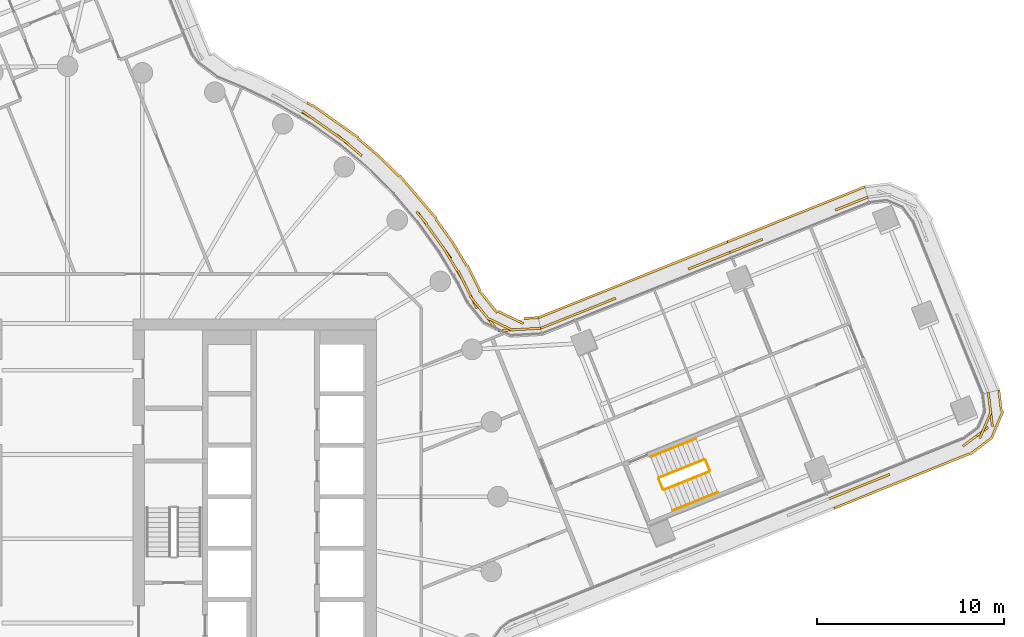
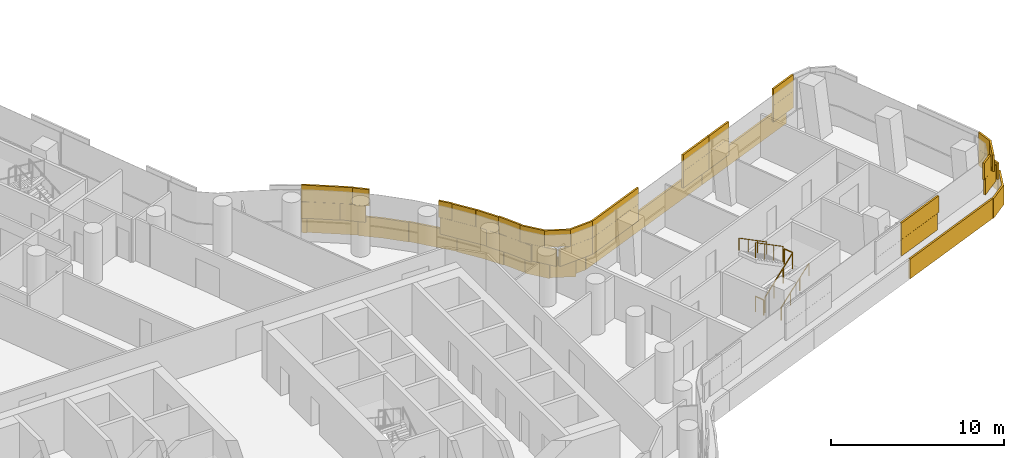
# One storey, part 30 of 32: 6 railings, 4 coverings.
"""IFC4 building model written with IfcOpenShell, lengths in metres."""

import ifcopenshell
import ifcopenshell.guid

model = None  # the IFC model being written
_history = None  # IfcOwnerHistory: only IFC2X3 demands one
_inside = {}  # id of a spatial element -> (the spatial element, [elements in it])
_under = {}  # id of a project, library or spatial element -> (it, [spatial elements below it])
_declared = {}  # id of a project -> (the project, [libraries it declares])
_typed = {}  # id of a type object -> (the type object, [elements of that type])
_made_of = {}  # id of a material, layer set ... -> (it, [elements and type objects made of it])


def new_model(schema):
    """Start an empty IFC model of exactly this schema.

    Asked for "IFC4X3", IfcOpenShell would pick the latest addendum, in which some entities
    have other attributes; the version numbers below select the first issue.
    IFC2X3 requires an IfcOwnerHistory on every rooted entity: one is made here for all.
    """
    global model, _history
    if schema == "IFC4X3":
        model = ifcopenshell.file(schema_version=(4, 3, 0, 0))
    else:
        model = ifcopenshell.file(schema=schema)
    _inside.clear()
    _under.clear()
    _declared.clear()
    _typed.clear()
    _made_of.clear()
    _history = None
    if model.schema == "IFC2X3":
        org = make("IfcOrganization", Name="unknown")
        user = make(
            "IfcPersonAndOrganization",
            ThePerson=make("IfcPerson", FamilyName="unknown"),
            TheOrganization=org,
        )
        app = make(
            "IfcApplication",
            ApplicationDeveloper=org,
            Version="unknown",
            ApplicationFullName="unknown",
            ApplicationIdentifier="unknown",
        )
        _history = make(
            "IfcOwnerHistory",
            OwningUser=user,
            OwningApplication=app,
            ChangeAction="ADDED",
            CreationDate=0,
        )
    return model


def make(cls, **values):
    """One entity of the class cls with the attributes given. An attribute that is None is left unset."""
    return model.create_entity(
        cls, **{name: value for name, value in values.items() if value is not None}
    )


def rooted(cls, **values):
    """An entity with a GlobalId (a new one), such as an element, a storey or a relation."""
    return make(cls, GlobalId=ifcopenshell.guid.new(), OwnerHistory=_history, **values)


def si_unit(unit_type, name, prefix=None):
    """IfcSIUnit, for example si_unit("LENGTHUNIT", "METRE", prefix="MILLI")."""
    return make("IfcSIUnit", UnitType=unit_type, Prefix=prefix, Name=name)


def assignment(units):
    """IfcUnitAssignment: the units of a project."""
    return None if units is None else make("IfcUnitAssignment", Units=units)


def point(xyz):
    """IfcCartesianPoint."""
    return None if xyz is None else make("IfcCartesianPoint", Coordinates=xyz)


def direction(xyz):
    """IfcDirection."""
    return None if xyz is None else make("IfcDirection", DirectionRatios=xyz)


def frame(location, z_axis=None, x_axis=None):
    """IfcAxis2Placement3D, a coordinate frame: its origin and axes. An axis left out is left unset."""
    return make(
        "IfcAxis2Placement3D",
        Location=point(location),
        Axis=direction(z_axis),
        RefDirection=direction(x_axis),
    )


def frame_2d(location, x_axis=None):
    """IfcAxis2Placement2D, a coordinate frame in the plane: its origin and x axis."""
    return make(
        "IfcAxis2Placement2D", Location=point(location), RefDirection=direction(x_axis)
    )


def origin():
    """The frame at (0, 0, 0) with its axes left unset."""
    return frame((0.0, 0.0, 0.0))


def origin_2d():
    """The frame at (0, 0) in the plane with its x axis left unset."""
    return frame_2d((0.0, 0.0))


def place(relative_to, where):
    """IfcLocalPlacement: puts the frame where relative to a parent placement (None: the world)."""
    return make(
        "IfcLocalPlacement", PlacementRelTo=relative_to, RelativePlacement=where
    )


def context(
    kind, dimensions, precision=None, world=None, true_north=None, identifier=None
):
    """IfcGeometricRepresentationContext, for example the 3D "Model" context."""
    return make(
        "IfcGeometricRepresentationContext",
        ContextIdentifier=identifier,
        ContextType=kind,
        CoordinateSpaceDimension=dimensions,
        Precision=precision,
        WorldCoordinateSystem=world,
        TrueNorth=true_north,
    )


def subcontext(parent, identifier, kind, view, scale=None):
    """IfcGeometricRepresentationSubContext, for example "Body" below "Model"."""
    return make(
        "IfcGeometricRepresentationSubContext",
        ContextIdentifier=identifier,
        ContextType=kind,
        ParentContext=parent,
        TargetScale=scale,
        TargetView=view,
    )


def project(units=None, contexts=None):
    """IfcProject with its units and contexts."""
    return rooted(
        "IfcProject",
        Name="project",
        RepresentationContexts=contexts,
        UnitsInContext=assignment(units),
    )


def spatial(cls, under=None, at=None, **own):
    """A site, building, storey or space (cls), placed at a placement, below another one or the project."""
    s = rooted(cls, ObjectPlacement=at, **own)
    if under is not None:
        _under.setdefault(under.id(), (under, []))[1].append(s)
    return s


def profile(cls, at=None, kind="AREA", **sizes):
    """A parametric profile (cls). Its sizes go by their IFC names, for example OverallWidth=200.0."""
    return make(cls, ProfileType=kind, Position=at, **sizes)


def rectangle(**sizes):
    """IfcRectangleProfileDef."""
    return profile("IfcRectangleProfileDef", **sizes)


def circle(**sizes):
    """IfcCircleProfileDef."""
    return profile("IfcCircleProfileDef", **sizes)


def extrude(swept, where, along, depth):
    """IfcExtrudedAreaSolid: the profile swept, set in the frame where, extruded along a direction by depth."""
    return make(
        "IfcExtrudedAreaSolid",
        SweptArea=swept,
        Position=where,
        ExtrudedDirection=direction(along),
        Depth=depth,
    )


def shape(context_of_items, identifier, shape_type, items):
    """IfcShapeRepresentation: the items that make up one representation, for example the "Body"."""
    return make(
        "IfcShapeRepresentation",
        ContextOfItems=context_of_items,
        RepresentationIdentifier=identifier,
        RepresentationType=shape_type,
        Items=items,
    )


def material(Name=None, Category=None):
    """IfcMaterial."""
    return make("IfcMaterial", Name=Name, Category=Category)


def layer(
    of_material, thickness, ventilated=None, Name=None, Category=None, Priority=None
):
    """IfcMaterialLayer: one layer of a wall or slab, of a material (None: an air gap)."""
    return make(
        "IfcMaterialLayer",
        Material=of_material,
        LayerThickness=thickness,
        IsVentilated=ventilated,
        Name=Name,
        Category=Category,
        Priority=Priority,
    )


def layer_set(layers, Name=None):
    """IfcMaterialLayerSet."""
    return make("IfcMaterialLayerSet", MaterialLayers=layers, LayerSetName=Name)


def made_of(thing, what):
    """Note that an element or type object is made of a material, layer set ...; save() writes the relation."""
    if what is not None:
        _made_of.setdefault(what.id(), (what, []))[1].append(thing)
    return thing


def type_object(cls, material=None, **own):
    """A type object (cls), such as IfcWallType, which elements share."""
    return made_of(rooted(cls, **own), material)


def element(
    cls,
    number,
    at=None,
    inside=None,
    cuts=None,
    type_object=None,
    material=None,
    context=None,
    identifier="Body",
    shape_type=None,
    held_by="IfcProductDefinitionShape",
    body=None,
    shapes=None,
    **own,
):
    """One element of the class cls, such as IfcWall. Its Tag is "e" and its number.

    at: its placement. inside: the storey or other place that contains it. cuts: it is an
    opening in that element (IfcRelVoidsElement). A single representation is given by context,
    identifier, shape_type and body (its items); several are given by shapes. held_by: the class
    of the entity that holds the representations. save() writes the other relations.
    """
    e = rooted(cls, Tag="e%d" % number, ObjectPlacement=at, **own)
    if body is not None:
        shapes = [shape(context, identifier, shape_type, body)]
    if shapes is not None:
        e.Representation = make(held_by, Representations=shapes)
    if inside is not None:
        _inside.setdefault(inside.id(), (inside, []))[1].append(e)
    if cuts is not None:
        rooted(
            "IfcRelVoidsElement", RelatingBuildingElement=cuts, RelatedOpeningElement=e
        )
    if type_object is not None:
        _typed.setdefault(type_object.id(), (type_object, []))[1].append(e)
    return made_of(e, material)


def aggregate(whole, parts):
    """IfcRelAggregates: a whole, such as a stair, and the parts it consists of."""
    return rooted("IfcRelAggregates", RelatingObject=whole, RelatedObjects=parts)


def save(model, path):
    """Write the relations noted so far, then the file.

    IfcRelAggregates (storeys below a building ...), IfcRelContainedInSpatialStructure (elements
    in a storey), IfcRelDefinesByType, IfcRelAssociatesMaterial and IfcRelDeclares: one each for
    every whole, place, type object, material and project.
    """
    for whole, parts in _under.values():
        aggregate(whole, parts)
    for where, things in _inside.values():
        rooted(
            "IfcRelContainedInSpatialStructure",
            RelatedElements=things,
            RelatingStructure=where,
        )
    for kind, things in _typed.values():
        rooted("IfcRelDefinesByType", RelatedObjects=things, RelatingType=kind)
    for what, things in _made_of.values():
        rooted("IfcRelAssociatesMaterial", RelatedObjects=things, RelatingMaterial=what)
    for by, libraries in _declared.values():
        rooted("IfcRelDeclares", RelatingContext=by, RelatedDefinitions=libraries)
    model.write(path)


model = new_model("IFC4")

# Units and contexts
model_context = context("Model", 3, precision=1e-05, world=origin(), true_north=direction((0.0, 1.0)))
body_context = subcontext(model_context, "Body", "Model", "MODEL_VIEW")
ifc_project = project(units=[si_unit("LENGTHUNIT", "METRE"), si_unit("AREAUNIT", "SQUARE_METRE"), si_unit("VOLUMEUNIT", "CUBIC_METRE"), si_unit("PLANEANGLEUNIT", "RADIAN"), si_unit("MASSUNIT", "GRAM", prefix="KILO")], contexts=[model_context])

# Site, building, storey
site_placement = place(None, origin())
site = spatial("IfcSite", under=ifc_project, at=site_placement, CompositionType="ELEMENT")
building_placement = place(site_placement, origin())
building = spatial("IfcBuilding", under=site, at=building_placement, Name="Tamarind Cross Interchange Tower", CompositionType="ELEMENT")
storey_placement = place(building_placement, frame((0.0, 0.0, 113.5)))
storey = spatial("IfcBuildingStorey", under=building, at=storey_placement, Name="L27", CompositionType="ELEMENT", Elevation=113.5)

# Railings
ifc_material_1 = material(Name="Stair guard")
railing_type_1 = type_object("IfcRailingType", Name="Stair guard", PredefinedType="GUARDRAIL", material=ifc_material_1)
railing_1_placement = place(storey_placement, frame((31.878173828125, 0.36767578125, 0.17041015625)))
element("IfcRailing", 1, at=railing_1_placement, inside=storey, type_object=railing_type_1, Name="L27 ST3 stair guard 1", PredefinedType="GUARDRAIL", context=body_context, shape_type="SweptSolid", body=[
    extrude(circle(Radius=0.02392578125, at=origin_2d()), frame((0.0, 0.0, 1.076171875), z_axis=(0.775716412802, 0.312469690883, 0.548294390988), x_axis=(-0.373640019295, 0.927573790047, 0.0)), (0.0, 0.0, 1.0), 3.10888671875),
    extrude(circle(Radius=0.02099609375, at=origin_2d()), origin(), (0.0, 0.0, 1.0), 1.052001953125),
    extrude(circle(Radius=0.02099609375, at=origin_2d()), frame((0.803955078125, 0.32373046875, 0.568115234375)), (0.0, 0.0, 1.0), 1.052001953125),
    extrude(circle(Radius=0.02099609375, at=origin_2d()), frame((1.607666015625, 0.647705078125, 1.136474609375)), (0.0, 0.0, 1.0), 1.052001953125),
    extrude(circle(Radius=0.02099609375, at=origin_2d()), frame((2.41162109375, 0.971435546875, 1.70458984375)), (0.0, 0.0, 1.0), 1.052001953125),
])
railing_2_placement = place(storey_placement, frame((34.317626953125, 1.404052734375, 1.875)))
element("IfcRailing", 2, at=railing_2_placement, inside=storey, type_object=railing_type_1, Name="L27 ST3 stair guard 2", PredefinedType="GUARDRAIL", context=body_context, shape_type="SweptSolid", body=[
    extrude(circle(Radius=0.02392578125, at=origin_2d()), frame((0.0, 0.0, 1.076171875), z_axis=(-0.373844172885, 0.92749152794, 0.0), x_axis=(-0.92749152794, -0.373844172885, 0.0)), (0.0, 0.0, 1.0), 0.60009765625),
    extrude(circle(Radius=0.02099609375, at=origin_2d()), origin(), (0.0, 0.0, 1.0), 1.052001953125),
    extrude(circle(Radius=0.02099609375, at=origin_2d()), frame((-0.224365234375, 0.556640625, 0.0)), (0.0, 0.0, 1.0), 1.052001953125),
])
railing_3_placement = place(storey_placement, frame((34.0283203125, 1.98828125, 2.04541015625)))
element("IfcRailing", 3, at=railing_3_placement, inside=storey, type_object=railing_type_1, Name="L27 ST3 stair guard 3", PredefinedType="GUARDRAIL", context=body_context, shape_type="SweptSolid", body=[
    extrude(circle(Radius=0.02392578125, at=origin_2d()), frame((0.0, 0.0, 1.076171875), z_axis=(-0.775747685502, -0.312450657011, 0.548260992021), x_axis=(0.373607477122, -0.927586897837, 0.0)), (0.0, 0.0, 1.0), 3.109130859375),
    extrude(circle(Radius=0.02099609375, at=origin_2d()), origin(), (0.0, 0.0, 1.0), 1.052001953125),
    extrude(circle(Radius=0.02099609375, at=origin_2d()), frame((-0.803955078125, -0.32373046875, 0.568115234375)), (0.0, 0.0, 1.0), 1.052001953125),
    extrude(circle(Radius=0.02099609375, at=origin_2d()), frame((-1.60791015625, -0.647705078125, 1.136474609375)), (0.0, 0.0, 1.0), 1.052001953125),
    extrude(circle(Radius=0.02099609375, at=origin_2d()), frame((-2.411865234375, -0.971435546875, 1.70458984375)), (0.0, 0.0, 1.0), 1.052001953125),
])
railing_4_placement = place(storey_placement, frame((31.81298828125, 0.395263671875, 0.0)))
element("IfcRailing", 4, at=railing_4_placement, inside=storey, type_object=railing_type_1, Name="L27 ST3 stair guard 4", PredefinedType="GUARDRAIL", context=body_context, shape_type="SweptSolid", body=[
    extrude(circle(Radius=0.02392578125, at=origin_2d()), frame((0.0, 0.0, 1.076171875), z_axis=(-0.373494151922, 0.927632534186, 0.0), x_axis=(-0.927632534186, -0.373494151922, 0.0)), (0.0, 0.0, 1.0), 0.60009765625),
    extrude(circle(Radius=0.02099609375, at=origin_2d()), origin(), (0.0, 0.0, 1.0), 1.052001953125),
    extrude(circle(Radius=0.02099609375, at=origin_2d()), frame((-0.22412109375, 0.556640625, 0.0)), (0.0, 0.0, 1.0), 1.052001953125),
])
ifc_material_2 = material(Name="Stair handrail")
railing_type_2 = type_object("IfcRailingType", Name="Stair handrail", PredefinedType="HANDRAIL", material=ifc_material_2)
railing_5_placement = place(storey_placement, frame((32.326416015625, -0.74560546875, 0.17041015625)))
element("IfcRailing", 5, at=railing_5_placement, inside=storey, type_object=railing_type_2, Name="L27 ST3 stair handrail 1", PredefinedType="HANDRAIL", context=body_context, shape_type="SweptSolid", body=[
    extrude(circle(Radius=0.02392578125, at=origin_2d()), frame((0.0, 0.0, 0.8759765625), z_axis=(0.775728650715, 0.312521513295, 0.548247539153), x_axis=(-0.373688261611, 0.927554355892, 0.0)), (0.0, 0.0, 1.0), 3.109130859375),
    extrude(circle(Radius=0.02099609375, at=origin_2d()), origin(), (0.0, 0.0, 1.0), 0.851806640625),
    extrude(circle(Radius=0.02099609375, at=origin_2d()), frame((0.803955078125, 0.323974609375, 0.568115234375)), (0.0, 0.0, 1.0), 0.851806640625),
    extrude(circle(Radius=0.02099609375, at=origin_2d()), frame((1.60791015625, 0.647705078125, 1.136474609375)), (0.0, 0.0, 1.0), 0.851806640625),
    extrude(circle(Radius=0.02099609375, at=origin_2d()), frame((2.411865234375, 0.9716796875, 1.70458984375)), (0.0, 0.0, 1.0), 0.851806640625),
])
railing_6_placement = place(storey_placement, frame((33.579833984375, 3.101318359375, 2.04541015625)))
element("IfcRailing", 6, at=railing_6_placement, inside=storey, type_object=railing_type_2, Name="L27 ST3 stair handrail 2", PredefinedType="HANDRAIL", context=body_context, shape_type="SweptSolid", body=[
    extrude(circle(Radius=0.02392578125, at=origin_2d()), frame((0.0, 0.0, 0.8759765625), z_axis=(-0.775716412802, -0.312469690883, 0.548294390988), x_axis=(0.373640019295, -0.927573790047, 0.0)), (0.0, 0.0, 1.0), 3.10888671875),
    extrude(circle(Radius=0.02099609375, at=origin_2d()), origin(), (0.0, 0.0, 1.0), 0.851806640625),
    extrude(circle(Radius=0.02099609375, at=origin_2d()), frame((-0.803955078125, -0.32373046875, 0.568115234375)), (0.0, 0.0, 1.0), 0.851806640625),
    extrude(circle(Radius=0.02099609375, at=origin_2d()), frame((-1.607666015625, -0.647705078125, 1.136474609375)), (0.0, 0.0, 1.0), 0.851806640625),
    extrude(circle(Radius=0.02099609375, at=origin_2d()), frame((-2.41162109375, -0.971435546875, 1.70458984375)), (0.0, 0.0, 1.0), 0.851806640625),
])

# Coverings
ifc_material_3 = material(Name="Terracotta", Category="masonry")
ifc_layer = layer(ifc_material_3, 0.1201171875)
ifc_layer_set = layer_set([ifc_layer], Name="Terracotta")
covering_type = type_object("IfcCoveringType", Name="Terracotta baguette screen unit", PredefinedType="MOLDING", material=ifc_layer_set)
covering_1_placement = place(storey_placement, origin())
element("IfcCovering", 7, at=covering_1_placement, inside=storey, type_object=covering_type, Name="SCR-L27-07-02", PredefinedType="MOLDING", context=body_context, shape_type="SweptSolid", body=[
    extrude(rectangle(XDim=0.355712890625, YDim=0.1201171875, at=origin_2d()), frame((40.864013671875, -0.044677734375, 1.404052734375), z_axis=(0.0, 0.0, 1.0), x_axis=(0.927570416192, 0.373648394893, 0.0)), (0.0, 0.0, 1.0), 1.1669921875),
    extrude(rectangle(XDim=1.52001953125, YDim=0.1201171875, at=origin_2d()), frame((41.719970703125, 0.300048828125, 1.404052734375), z_axis=(0.0, 0.0, 1.0), x_axis=(0.927570416192, 0.373648394893, 0.0)), (0.0, 0.0, 1.0), 1.1669921875),
    extrude(rectangle(XDim=1.52001953125, YDim=0.1201171875, at=origin_2d()), frame((43.111328125, 0.860595703125, 1.404052734375), z_axis=(0.0, 0.0, 1.0), x_axis=(0.927570416192, 0.373648394893, 0.0)), (0.0, 0.0, 1.0), 1.1669921875),
    extrude(rectangle(XDim=1.52001953125, YDim=0.1201171875, at=origin_2d()), frame((48.590576171875, 3.255126953125, 1.404052734375), z_axis=(0.0, 0.0, 1.0), x_axis=(0.799256899931, 0.600989523963, 0.0)), (0.0, 0.0, 1.0), 1.1669921875),
    extrude(rectangle(XDim=1.52001953125, YDim=0.1201171875, at=origin_2d()), frame((49.33251953125, 4.5087890625, 1.404052734375), z_axis=(0.0, 0.0, 1.0), x_axis=(-0.120843745195, 0.992671541471, 0.0)), (0.0, 0.0, 1.0), 1.1669921875),
    extrude(rectangle(XDim=0.314697265625, YDim=0.1201171875, at=origin_2d()), frame((49.2236328125, 5.404541015625, 1.404052734375), z_axis=(0.0, 0.0, 1.0), x_axis=(-0.120843745195, 0.992671541471, 0.0)), (0.0, 0.0, 1.0), 1.1669921875),
    extrude(rectangle(XDim=1.105712890625, YDim=0.1201171875, at=origin_2d()), frame((41.2119140625, 0.095458984375, 2.5791015625), z_axis=(0.0, 0.0, 1.0), x_axis=(0.927570416192, 0.373648394893, 0.0)), (0.0, 0.0, 1.0), 1.1669921875),
    extrude(rectangle(XDim=1.52001953125, YDim=0.1201171875, at=origin_2d()), frame((42.415771484375, 0.580322265625, 2.5791015625), z_axis=(0.0, 0.0, 1.0), x_axis=(0.927570416192, 0.373648394893, 0.0)), (0.0, 0.0, 1.0), 1.1669921875),
    extrude(rectangle(XDim=0.889404296875, YDim=0.1201171875, at=origin_2d()), frame((43.519287109375, 1.02490234375, 2.5791015625), z_axis=(0.0, 0.0, 1.0), x_axis=(0.927570416192, 0.373648394893, 0.0)), (0.0, 0.0, 1.0), 1.1669921875),
    extrude(rectangle(XDim=0.9306640625, YDim=0.1201171875, at=origin_2d()), frame((48.22265625, 2.978515625, 2.5791015625), z_axis=(0.0, 0.0, 1.0), x_axis=(0.799256899931, 0.600989523963, 0.0)), (0.0, 0.0, 1.0), 1.1669921875),
    extrude(rectangle(XDim=1.52001953125, YDim=0.1201171875, at=origin_2d()), frame((49.04736328125, 3.817626953125, 2.5791015625), z_axis=(0.0, 0.0, 1.0), x_axis=(0.391682017509, 0.920100645125, 0.0)), (0.0, 0.0, 1.0), 1.1669921875),
    extrude(rectangle(XDim=1.064697265625, YDim=0.1201171875, at=origin_2d()), frame((49.268798828125, 5.0322265625, 2.5791015625), z_axis=(0.0, 0.0, 1.0), x_axis=(-0.120843745195, 0.992671541471, 0.0)), (0.0, 0.0, 1.0), 1.1669921875),
    extrude(rectangle(XDim=0.304931640625, YDim=0.1201171875, at=origin_2d()), frame((41.107421875, -0.5654296875, 0.00390625), z_axis=(0.0, 0.0, 1.0), x_axis=(0.927570416192, 0.373648394893, 0.0)), (0.0, 0.0, 1.0), 1.39208984375),
    extrude(rectangle(XDim=1.52001953125, YDim=0.1201171875, at=origin_2d()), frame((41.935302734375, -0.23193359375, 0.00390625), z_axis=(0.0, 0.0, 1.0), x_axis=(0.927570416192, 0.373648394893, 0.0)), (0.0, 0.0, 1.0), 1.39208984375),
    extrude(rectangle(XDim=1.52001953125, YDim=0.1201171875, at=origin_2d()), frame((43.32666015625, 0.328369140625, 0.00390625), z_axis=(0.0, 0.0, 1.0), x_axis=(0.927570416192, 0.373648394893, 0.0)), (0.0, 0.0, 1.0), 1.39208984375),
    extrude(rectangle(XDim=1.52001953125, YDim=0.1201171875, at=origin_2d()), frame((44.718017578125, 0.888916015625, 0.00390625), z_axis=(0.0, 0.0, 1.0), x_axis=(0.927570416192, 0.373648394893, 0.0)), (0.0, 0.0, 1.0), 1.39208984375),
    extrude(rectangle(XDim=1.52001953125, YDim=0.1201171875, at=origin_2d()), frame((46.109375, 1.449462890625, 0.00390625), z_axis=(0.0, 0.0, 1.0), x_axis=(0.927570416192, 0.373648394893, 0.0)), (0.0, 0.0, 1.0), 1.39208984375),
    extrude(rectangle(XDim=1.52001953125, YDim=0.1201171875, at=origin_2d()), frame((47.500732421875, 2.009765625, 0.00390625), z_axis=(0.0, 0.0, 1.0), x_axis=(0.927570416192, 0.373648394893, 0.0)), (0.0, 0.0, 1.0), 1.39208984375),
    extrude(rectangle(XDim=1.52001953125, YDim=0.1201171875, at=origin_2d()), frame((48.8154296875, 2.7060546875, 0.00390625), z_axis=(0.0, 0.0, 1.0), x_axis=(0.799256899931, 0.600989523963, 0.0)), (0.0, 0.0, 1.0), 1.39208984375),
    extrude(rectangle(XDim=1.52001953125, YDim=0.1201171875, at=origin_2d()), frame((49.68994140625, 3.861572265625, 0.00390625), z_axis=(0.0, 0.0, 1.0), x_axis=(0.391682017509, 0.920100645125, 0.0)), (0.0, 0.0, 1.0), 1.39208984375),
    extrude(rectangle(XDim=1.15576171875, YDim=0.1201171875, at=origin_2d()), frame((49.835693359375, 5.12646484375, 0.00390625), z_axis=(0.0, 0.0, 1.0), x_axis=(-0.120843745195, 0.992671541471, 0.0)), (0.0, 0.0, 1.0), 1.39208984375),
])
covering_2_placement = place(storey_placement, origin())
element("IfcCovering", 8, at=covering_2_placement, inside=storey, type_object=covering_type, Name="SCR-L27-09-00", PredefinedType="MOLDING", context=body_context, shape_type="SweptSolid", body=[
    extrude(rectangle(XDim=0.760009765625, YDim=0.1201171875, at=origin_2d()), frame((42.40771484375, 15.864990234375, 1.404052734375), z_axis=(0.0, 0.0, 1.0), x_axis=(-0.928182933401, -0.372124229448, 0.0)), (0.0, 0.0, 1.0), 1.1669921875),
    extrude(rectangle(XDim=1.11962890625, YDim=0.1201171875, at=origin_2d()), frame((41.544677734375, 15.51904296875, 1.404052734375), z_axis=(0.0, 0.0, 1.0), x_axis=(-0.928182933401, -0.372124229448, 0.0)), (0.0, 0.0, 1.0), 1.1669921875),
    extrude(rectangle(XDim=0.700439453125, YDim=0.1201171875, at=origin_2d()), frame((36.810791015625, 13.62109375, 1.404052734375), z_axis=(0.0, 0.0, 1.0), x_axis=(-0.928182933401, -0.372124229448, 0.0)), (0.0, 0.0, 1.0), 1.1669921875),
    extrude(rectangle(XDim=1.179443359375, YDim=0.1201171875, at=origin_2d()), frame((35.94775390625, 13.275146484375, 1.404052734375), z_axis=(0.0, 0.0, 1.0), x_axis=(-0.928182933401, -0.372124229448, 0.0)), (0.0, 0.0, 1.0), 1.1669921875),
    extrude(rectangle(XDim=1.510009765625, YDim=0.1201171875, at=origin_2d()), frame((42.0595703125, 15.725341796875, 2.5791015625), z_axis=(0.0, 0.0, 1.0), x_axis=(-0.928182933401, -0.372124229448, 0.0)), (0.0, 0.0, 1.0), 1.1669921875),
    extrude(rectangle(XDim=0.36962890625, YDim=0.1201171875, at=origin_2d()), frame((41.196533203125, 15.37939453125, 2.5791015625), z_axis=(0.0, 0.0, 1.0), x_axis=(-0.928182933401, -0.372124229448, 0.0)), (0.0, 0.0, 1.0), 1.1669921875),
    extrude(rectangle(XDim=1.450439453125, YDim=0.1201171875, at=origin_2d()), frame((36.462890625, 13.481689453125, 2.5791015625), z_axis=(0.0, 0.0, 1.0), x_axis=(-0.928182933401, -0.372124229448, 0.0)), (0.0, 0.0, 1.0), 1.1669921875),
    extrude(rectangle(XDim=0.429443359375, YDim=0.1201171875, at=origin_2d()), frame((35.599853515625, 13.135498046875, 2.5791015625), z_axis=(0.0, 0.0, 1.0), x_axis=(-0.928182933401, -0.372124229448, 0.0)), (0.0, 0.0, 1.0), 1.1669921875),
    extrude(rectangle(XDim=0.760009765625, YDim=0.1201171875, at=origin_2d()), frame((42.259033203125, 16.423828125, 0.00390625), z_axis=(0.0, 0.0, 1.0), x_axis=(-0.928182933401, -0.372124229448, 0.0)), (0.0, 0.0, 1.0), 1.39208984375),
    extrude(rectangle(XDim=1.52001953125, YDim=0.1201171875, at=origin_2d()), frame((41.219482421875, 16.007080078125, 0.00390625), z_axis=(0.0, 0.0, 1.0), x_axis=(-0.928182933401, -0.372124229448, 0.0)), (0.0, 0.0, 1.0), 1.39208984375),
    extrude(rectangle(XDim=1.52001953125, YDim=0.1201171875, at=origin_2d()), frame((39.827392578125, 15.448974609375, 0.00390625), z_axis=(0.0, 0.0, 1.0), x_axis=(-0.928182933401, -0.372124229448, 0.0)), (0.0, 0.0, 1.0), 1.39208984375),
    extrude(rectangle(XDim=1.52001953125, YDim=0.1201171875, at=origin_2d()), frame((38.43505859375, 14.890625, 0.00390625), z_axis=(0.0, 0.0, 1.0), x_axis=(-0.928182933401, -0.372124229448, 0.0)), (0.0, 0.0, 1.0), 1.39208984375),
    extrude(rectangle(XDim=1.52001953125, YDim=0.1201171875, at=origin_2d()), frame((37.042724609375, 14.33251953125, 0.00390625), z_axis=(0.0, 0.0, 1.0), x_axis=(-0.928182933401, -0.372124229448, 0.0)), (0.0, 0.0, 1.0), 1.39208984375),
    extrude(rectangle(XDim=1.17138671875, YDim=0.1201171875, at=origin_2d()), frame((35.812255859375, 13.839111328125, 0.00390625), z_axis=(0.0, 0.0, 1.0), x_axis=(-0.928182933401, -0.372124229448, 0.0)), (0.0, 0.0, 1.0), 1.39208984375),
])
covering_3_placement = place(storey_placement, origin())
element("IfcCovering", 9, at=covering_3_placement, inside=storey, type_object=covering_type, Name="SCR-L27-09-01", PredefinedType="MOLDING", context=body_context, shape_type="SweptSolid", body=[
    extrude(rectangle(XDim=0.340576171875, YDim=0.1201171875, at=origin_2d()), frame((35.251708984375, 12.99609375, 1.404052734375), z_axis=(0.0, 0.0, 1.0), x_axis=(-0.928182933401, -0.372124229448, 0.0)), (0.0, 0.0, 1.0), 1.1669921875),
    extrude(rectangle(XDim=1.52001953125, YDim=0.1201171875, at=origin_2d()), frame((34.402099609375, 12.655517578125, 1.404052734375), z_axis=(0.0, 0.0, 1.0), x_axis=(-0.928182933401, -0.372124229448, 0.0)), (0.0, 0.0, 1.0), 1.1669921875),
    extrude(rectangle(XDim=0.57861328125, YDim=0.1201171875, at=origin_2d()), frame((33.442138671875, 12.2705078125, 1.404052734375), z_axis=(0.0, 0.0, 1.0), x_axis=(-0.928182933401, -0.372124229448, 0.0)), (0.0, 0.0, 1.0), 1.1669921875),
    extrude(rectangle(XDim=1.241455078125, YDim=0.1201171875, at=origin_2d()), frame((28.708251953125, 10.372802734375, 1.404052734375), z_axis=(0.0, 0.0, 1.0), x_axis=(-0.928182933401, -0.372124229448, 0.0)), (0.0, 0.0, 1.0), 1.1669921875),
    extrude(rectangle(XDim=1.52001953125, YDim=0.1201171875, at=origin_2d()), frame((27.440673828125, 9.864501953125, 1.404052734375), z_axis=(0.0, 0.0, 1.0), x_axis=(-0.928182933401, -0.372124229448, 0.0)), (0.0, 0.0, 1.0), 1.1669921875),
    extrude(rectangle(XDim=1.52001953125, YDim=0.1201171875, at=origin_2d()), frame((26.048583984375, 9.306396484375, 1.404052734375), z_axis=(0.0, 0.0, 1.0), x_axis=(-0.928182933401, -0.372124229448, 0.0)), (0.0, 0.0, 1.0), 1.1669921875),
    extrude(rectangle(XDim=0.084228515625, YDim=0.1201171875, at=origin_2d()), frame((25.31787109375, 9.013427734375, 1.404052734375), z_axis=(0.0, 0.0, 1.0), x_axis=(-0.928182933401, -0.372124229448, 0.0)), (0.0, 0.0, 1.0), 1.1669921875),
    extrude(rectangle(XDim=1.090576171875, YDim=0.1201171875, at=origin_2d()), frame((34.903564453125, 12.8564453125, 2.5791015625), z_axis=(0.0, 0.0, 1.0), x_axis=(-0.928182933401, -0.372124229448, 0.0)), (0.0, 0.0, 1.0), 1.1669921875),
    extrude(rectangle(XDim=1.32861328125, YDim=0.1201171875, at=origin_2d()), frame((33.790283203125, 12.41015625, 2.5791015625), z_axis=(0.0, 0.0, 1.0), x_axis=(-0.928182933401, -0.372124229448, 0.0)), (0.0, 0.0, 1.0), 1.1669921875),
    extrude(rectangle(XDim=0.491455078125, YDim=0.1201171875, at=origin_2d()), frame((29.056396484375, 10.51220703125, 2.5791015625), z_axis=(0.0, 0.0, 1.0), x_axis=(-0.928182933401, -0.372124229448, 0.0)), (0.0, 0.0, 1.0), 1.1669921875),
    extrude(rectangle(XDim=1.52001953125, YDim=0.1201171875, at=origin_2d()), frame((28.136962890625, 10.1435546875, 2.5791015625), z_axis=(0.0, 0.0, 1.0), x_axis=(-0.928182933401, -0.372124229448, 0.0)), (0.0, 0.0, 1.0), 1.1669921875),
    extrude(rectangle(XDim=1.52001953125, YDim=0.1201171875, at=origin_2d()), frame((26.74462890625, 9.58544921875, 2.5791015625), z_axis=(0.0, 0.0, 1.0), x_axis=(-0.928182933401, -0.372124229448, 0.0)), (0.0, 0.0, 1.0), 1.1669921875),
    extrude(rectangle(XDim=0.834228515625, YDim=0.1201171875, at=origin_2d()), frame((25.666015625, 9.15283203125, 2.5791015625), z_axis=(0.0, 0.0, 1.0), x_axis=(-0.928182933401, -0.372124229448, 0.0)), (0.0, 0.0, 1.0), 1.1669921875),
    extrude(rectangle(XDim=0.3486328125, YDim=0.1201171875, at=origin_2d()), frame((35.10693359375, 13.556396484375, 0.00390625), z_axis=(0.0, 0.0, 1.0), x_axis=(-0.928182933401, -0.372124229448, 0.0)), (0.0, 0.0, 1.0), 1.39208984375),
    extrude(rectangle(XDim=1.52001953125, YDim=0.1201171875, at=origin_2d()), frame((34.25830078125, 13.216064453125, 0.00390625), z_axis=(0.0, 0.0, 1.0), x_axis=(-0.928182933401, -0.372124229448, 0.0)), (0.0, 0.0, 1.0), 1.39208984375),
    extrude(rectangle(XDim=1.52001953125, YDim=0.1201171875, at=origin_2d()), frame((32.865966796875, 12.657958984375, 0.00390625), z_axis=(0.0, 0.0, 1.0), x_axis=(-0.928182933401, -0.372124229448, 0.0)), (0.0, 0.0, 1.0), 1.39208984375),
    extrude(rectangle(XDim=1.52001953125, YDim=0.1201171875, at=origin_2d()), frame((31.4736328125, 12.099853515625, 0.00390625), z_axis=(0.0, 0.0, 1.0), x_axis=(-0.928182933401, -0.372124229448, 0.0)), (0.0, 0.0, 1.0), 1.39208984375),
    extrude(rectangle(XDim=1.52001953125, YDim=0.1201171875, at=origin_2d()), frame((30.081298828125, 11.54150390625, 0.00390625), z_axis=(0.0, 0.0, 1.0), x_axis=(-0.928182933401, -0.372124229448, 0.0)), (0.0, 0.0, 1.0), 1.39208984375),
    extrude(rectangle(XDim=1.52001953125, YDim=0.1201171875, at=origin_2d()), frame((28.689208984375, 10.9833984375, 0.00390625), z_axis=(0.0, 0.0, 1.0), x_axis=(-0.928182933401, -0.372124229448, 0.0)), (0.0, 0.0, 1.0), 1.39208984375),
    extrude(rectangle(XDim=1.52001953125, YDim=0.1201171875, at=origin_2d()), frame((27.296875, 10.42529296875, 0.00390625), z_axis=(0.0, 0.0, 1.0), x_axis=(-0.928182933401, -0.372124229448, 0.0)), (0.0, 0.0, 1.0), 1.39208984375),
    extrude(rectangle(XDim=1.52001953125, YDim=0.1201171875, at=origin_2d()), frame((25.904541015625, 9.866943359375, 0.00390625), z_axis=(0.0, 0.0, 1.0), x_axis=(-0.928182933401, -0.372124229448, 0.0)), (0.0, 0.0, 1.0), 1.39208984375),
    extrude(rectangle(XDim=0.0654296875, YDim=0.1201171875, at=origin_2d()), frame((25.187255859375, 9.57958984375, 0.00390625), z_axis=(0.0, 0.0, 1.0), x_axis=(-0.928182933401, -0.372124229448, 0.0)), (0.0, 0.0, 1.0), 1.39208984375),
])
covering_4_placement = place(storey_placement, origin())
element("IfcCovering", 10, at=covering_4_placement, inside=storey, type_object=covering_type, Name="SCR-L27-10-00", PredefinedType="MOLDING", context=body_context, shape_type="SweptSolid", body=[
    extrude(rectangle(XDim=0.760009765625, YDim=0.1201171875, at=origin_2d()), frame((24.908935546875, 8.978271484375, 1.404052734375), z_axis=(0.0, 0.0, 1.0), x_axis=(-0.998374190932, -0.056999779649, 0.0)), (0.0, 0.0, 1.0), 1.1669921875),
    extrude(rectangle(XDim=1.52001953125, YDim=0.1201171875, at=origin_2d()), frame((23.785888671875, 8.9140625, 1.404052734375), z_axis=(0.0, 0.0, 1.0), x_axis=(-0.998374190932, -0.056999779649, 0.0)), (0.0, 0.0, 1.0), 1.1669921875),
    extrude(rectangle(XDim=1.52001953125, YDim=0.1201171875, at=origin_2d()), frame((22.441162109375, 9.556884765625, 1.404052734375), z_axis=(0.0, 0.0, 1.0), x_axis=(-0.630112664409, 0.776503721917, 0.0)), (0.0, 0.0, 1.0), 1.1669921875),
    extrude(rectangle(XDim=1.52001953125, YDim=0.1201171875, at=origin_2d()), frame((21.535888671875, 10.747314453125, 1.404052734375), z_axis=(0.0, 0.0, 1.0), x_axis=(-0.446000201042, 0.895032860107, 0.0)), (0.0, 0.0, 1.0), 1.1669921875),
    extrude(rectangle(XDim=1.52001953125, YDim=0.1201171875, at=origin_2d()), frame((20.8251953125, 12.067138671875, 1.404052734375), z_axis=(0.0, 0.0, 1.0), x_axis=(-0.515577308909, 0.856843065292, 0.0)), (0.0, 0.0, 1.0), 1.1669921875),
    extrude(rectangle(XDim=1.52001953125, YDim=0.1201171875, at=origin_2d()), frame((20.04443359375, 13.347412109375, 1.404052734375), z_axis=(0.0, 0.0, 1.0), x_axis=(-0.584573890505, 0.811340475102, 0.0)), (0.0, 0.0, 1.0), 1.1669921875),
    extrude(rectangle(XDim=1.52001953125, YDim=0.1201171875, at=origin_2d()), frame((19.167724609375, 14.564453125, 1.404052734375), z_axis=(0.0, 0.0, 1.0), x_axis=(-0.584573890505, 0.811340475102, 0.0)), (0.0, 0.0, 1.0), 1.1669921875),
    extrude(rectangle(XDim=1.52001953125, YDim=0.1201171875, at=origin_2d()), frame((14.984375, 18.842041015625, 1.404052734375), z_axis=(0.0, 0.0, 1.0), x_axis=(-0.765858396687, 0.643009266048, 0.0)), (0.0, 0.0, 1.0), 1.1669921875),
    extrude(rectangle(XDim=1.52001953125, YDim=0.1201171875, at=origin_2d()), frame((13.77783203125, 19.731689453125, 1.404052734375), z_axis=(0.0, 0.0, 1.0), x_axis=(-0.816341886298, 0.577568978284, 0.0)), (0.0, 0.0, 1.0), 1.1669921875),
    extrude(rectangle(XDim=0.7685546875, YDim=0.1201171875, at=origin_2d()), frame((12.84326171875, 20.3642578125, 1.404052734375), z_axis=(0.0, 0.0, 1.0), x_axis=(-0.861248933065, 0.508183308752, 0.0)), (0.0, 0.0, 1.0), 1.1669921875),
    extrude(rectangle(XDim=1.510009765625, YDim=0.1201171875, at=origin_2d()), frame((24.53466796875, 8.956787109375, 2.5791015625), z_axis=(0.0, 0.0, 1.0), x_axis=(-0.998374190932, -0.056999779649, 0.0)), (0.0, 0.0, 1.0), 1.1669921875),
    extrude(rectangle(XDim=1.52001953125, YDim=0.1201171875, at=origin_2d()), frame((23.10595703125, 9.217529296875, 2.5791015625), z_axis=(0.0, 0.0, 1.0), x_axis=(-0.900786738544, 0.434261731752, 0.0)), (0.0, 0.0, 1.0), 1.1669921875),
    extrude(rectangle(XDim=1.52001953125, YDim=0.1201171875, at=origin_2d()), frame((21.968505859375, 10.139404296875, 2.5791015625), z_axis=(0.0, 0.0, 1.0), x_axis=(-0.630112664409, 0.776503721917, 0.0)), (0.0, 0.0, 1.0), 1.1669921875),
    extrude(rectangle(XDim=1.52001953125, YDim=0.1201171875, at=origin_2d()), frame((21.201416015625, 11.418701171875, 2.5791015625), z_axis=(0.0, 0.0, 1.0), x_axis=(-0.446000201042, 0.895032860107, 0.0)), (0.0, 0.0, 1.0), 1.1669921875),
    extrude(rectangle(XDim=1.52001953125, YDim=0.1201171875, at=origin_2d()), frame((20.4384765625, 12.709716796875, 2.5791015625), z_axis=(0.0, 0.0, 1.0), x_axis=(-0.515577308909, 0.856843065292, 0.0)), (0.0, 0.0, 1.0), 1.1669921875),
    extrude(rectangle(XDim=1.52001953125, YDim=0.1201171875, at=origin_2d()), frame((19.60595703125, 13.9560546875, 2.5791015625), z_axis=(0.0, 0.0, 1.0), x_axis=(-0.584573890505, 0.811340475102, 0.0)), (0.0, 0.0, 1.0), 1.1669921875),
    extrude(rectangle(XDim=0.85009765625, YDim=0.1201171875, at=origin_2d()), frame((18.919677734375, 14.9033203125, 2.5791015625), z_axis=(0.0, 0.0, 1.0), x_axis=(-0.64957723968, 0.760295606781, 0.0)), (0.0, 0.0, 1.0), 1.1669921875),
    extrude(rectangle(XDim=0.969970703125, YDim=0.1201171875, at=origin_2d()), frame((15.35205078125, 18.533447265625, 2.5791015625), z_axis=(0.0, 0.0, 1.0), x_axis=(-0.765858396687, 0.643009266048, 0.0)), (0.0, 0.0, 1.0), 1.1669921875),
    extrude(rectangle(XDim=1.52001953125, YDim=0.1201171875, at=origin_2d()), frame((14.39013671875, 19.298583984375, 2.5791015625), z_axis=(0.0, 0.0, 1.0), x_axis=(-0.816341886298, 0.577568978284, 0.0)), (0.0, 0.0, 1.0), 1.1669921875),
    extrude(rectangle(XDim=1.52001953125, YDim=0.1201171875, at=origin_2d()), frame((13.16552734375, 20.164794921875, 2.5791015625), z_axis=(0.0, 0.0, 1.0), x_axis=(-0.816341886298, 0.577568978284, 0.0)), (0.0, 0.0, 1.0), 1.1669921875),
    extrude(rectangle(XDim=0.760009765625, YDim=0.1201171875, at=origin_2d()), frame((24.777587890625, 9.545654296875, 0.00390625), z_axis=(0.0, 0.0, 1.0), x_axis=(-0.998374190932, -0.056999779649, 0.0)), (0.0, 0.0, 1.0), 1.39208984375),
    extrude(rectangle(XDim=1.52001953125, YDim=0.1201171875, at=origin_2d()), frame((23.6787109375, 9.57861328125, 0.00390625), z_axis=(0.0, 0.0, 1.0), x_axis=(-0.900786738544, 0.434261731752, 0.0)), (0.0, 0.0, 1.0), 1.39208984375),
    extrude(rectangle(XDim=1.52001953125, YDim=0.1201171875, at=origin_2d()), frame((22.478759765625, 10.42138671875, 0.00390625), z_axis=(0.0, 0.0, 1.0), x_axis=(-0.630112664409, 0.776503721917, 0.0)), (0.0, 0.0, 1.0), 1.39208984375),
    extrude(rectangle(XDim=1.52001953125, YDim=0.1201171875, at=origin_2d()), frame((21.704345703125, 11.696044921875, 0.00390625), z_axis=(0.0, 0.0, 1.0), x_axis=(-0.446000201042, 0.895032860107, 0.0)), (0.0, 0.0, 1.0), 1.39208984375),
    extrude(rectangle(XDim=1.52001953125, YDim=0.1201171875, at=origin_2d()), frame((20.941650390625, 12.987060546875, 0.00390625), z_axis=(0.0, 0.0, 1.0), x_axis=(-0.515577308909, 0.856843065292, 0.0)), (0.0, 0.0, 1.0), 1.39208984375),
    extrude(rectangle(XDim=1.52001953125, YDim=0.1201171875, at=origin_2d()), frame((20.112060546875, 14.2353515625, 0.00390625), z_axis=(0.0, 0.0, 1.0), x_axis=(-0.584573890505, 0.811340475102, 0.0)), (0.0, 0.0, 1.0), 1.39208984375),
    extrude(rectangle(XDim=1.52001953125, YDim=0.1201171875, at=origin_2d()), frame((19.217529296875, 15.4384765625, 0.00390625), z_axis=(0.0, 0.0, 1.0), x_axis=(-0.64957723968, 0.760295606781, 0.0)), (0.0, 0.0, 1.0), 1.39208984375),
    extrude(rectangle(XDim=1.52001953125, YDim=0.1201171875, at=origin_2d()), frame((18.2431640625, 16.578857421875, 0.00390625), z_axis=(0.0, 0.0, 1.0), x_axis=(-0.64957723968, 0.760295606781, 0.0)), (0.0, 0.0, 1.0), 1.39208984375),
    extrude(rectangle(XDim=1.52001953125, YDim=0.1201171875, at=origin_2d()), frame((17.19384765625, 17.64990234375, 0.00390625), z_axis=(0.0, 0.0, 1.0), x_axis=(-0.710143317658, 0.704057148523, 0.0)), (0.0, 0.0, 1.0), 1.39208984375),
    extrude(rectangle(XDim=1.52001953125, YDim=0.1201171875, at=origin_2d()), frame((16.08984375, 18.663330078125, 0.00390625), z_axis=(0.0, 0.0, 1.0), x_axis=(-0.765858396687, 0.643009266048, 0.0)), (0.0, 0.0, 1.0), 1.39208984375),
    extrude(rectangle(XDim=1.52001953125, YDim=0.1201171875, at=origin_2d()), frame((14.93310546875, 19.617431640625, 0.00390625), z_axis=(0.0, 0.0, 1.0), x_axis=(-0.816341886298, 0.577568978284, 0.0)), (0.0, 0.0, 1.0), 1.39208984375),
    extrude(rectangle(XDim=1.52001953125, YDim=0.1201171875, at=origin_2d()), frame((13.70849609375, 20.48388671875, 0.00390625), z_axis=(0.0, 0.0, 1.0), x_axis=(-0.816341886298, 0.577568978284, 0.0)), (0.0, 0.0, 1.0), 1.39208984375),
    extrude(rectangle(XDim=0.317138671875, YDim=0.1201171875, at=origin_2d()), frame((12.95166015625, 20.966796875, 0.00390625), z_axis=(0.0, 0.0, 1.0), x_axis=(-0.861248933065, 0.508183308752, 0.0)), (0.0, 0.0, 1.0), 1.39208984375),
])

save(model, "model.ifc")
